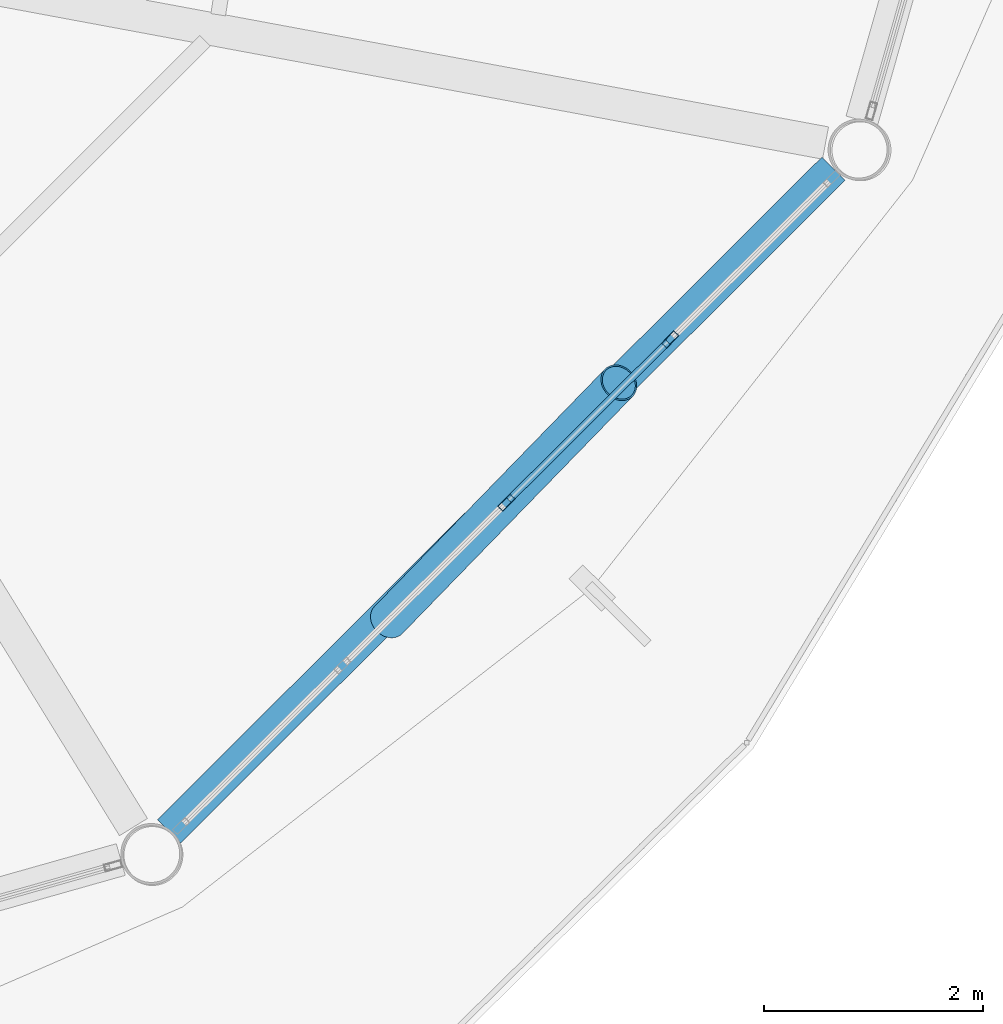
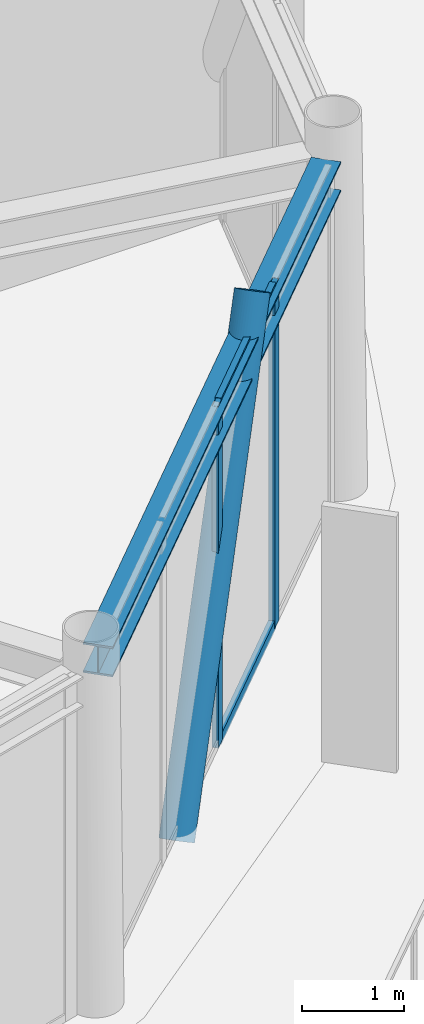
# One storey, part 8 of 24: 5 members, 1 beam, 1 element without a shape of its own.
"""IFC4 building model written with IfcOpenShell, lengths in metres."""

from ifc_helpers import new_model, si_unit, direction, frame, origin, origin_2d, place, context, subcontext, project, spatial, hollow_rectangle, hollow_circle, i_section, extrude, material, layer, layer_set, material_profile, profile_set, type_object, element, aggregate, save


model = new_model("IFC4")

# Units and contexts
model_context = context("Model", 3, precision=1e-05, world=origin(), true_north=direction((0.0, 1.0)))
body_context = subcontext(model_context, "Body", "Model", "MODEL_VIEW")
ifc_project = project(units=[si_unit("LENGTHUNIT", "METRE"), si_unit("AREAUNIT", "SQUARE_METRE"), si_unit("VOLUMEUNIT", "CUBIC_METRE"), si_unit("PLANEANGLEUNIT", "RADIAN"), si_unit("MASSUNIT", "GRAM", prefix="KILO")], contexts=[model_context])

# Site, building, storey
site_placement = place(None, origin())
site = spatial("IfcSite", under=ifc_project, at=site_placement, CompositionType="ELEMENT")
building_placement = place(site_placement, origin())
building = spatial("IfcBuilding", under=site, at=building_placement, Name="Varnakorn Sky Granary", CompositionType="ELEMENT")
storey_placement = place(building_placement, frame((0.0, 0.0, 285.0)))
storey = spatial("IfcBuildingStorey", under=building, at=storey_placement, Name="L73", CompositionType="ELEMENT", Elevation=285.0)

# Beam
ifc_material_1 = material(Name="Steel S355JR", Category="steel")
ifc_material_profile_1 = material_profile(ifc_material_1, i_section(OverallWidth=0.300048828125, OverallDepth=0.360107421875, WebThickness=0.012451171875, FlangeThickness=0.0224609375, at=origin_2d()), Name="HE 360 B")
ifc_profile_set_1 = profile_set([ifc_material_profile_1], Name="Steel S355JR")
beam_type = type_object("IfcBeamType", Name="BM-SPD-Z5", PredefinedType="SPANDREL", material=ifc_profile_set_1)
beam_placement = place(storey_placement, frame((13.8447265625, -15.02490234375, 3.89990234375), z_axis=(0.708116637558, 0.706095480522, 0.0), x_axis=(-0.706095480522, 0.708116637558, 0.0)))
element("IfcBeam", 1, at=beam_placement, inside=storey, type_object=beam_type, Name="Perimeter Spandrel Ring Beam RB11 L73", PredefinedType="SPANDREL", context=body_context, shape_type="SweptSolid", body=[
    extrude(i_section(OverallWidth=0.300048828125, OverallDepth=0.360107421875, WebThickness=0.012451171875, FlangeThickness=0.0224609375, at=origin_2d()), origin(), (0.0, 0.0, 1.0), 8.576171875),
])

# Curtain wall, members
ifc_material_2 = material(Name="Anodised Bronze Aluminium Alloy 6063-T6", Category="aluminium")
ifc_layer = layer(ifc_material_2, 0.159912109375, Name="Anodised Bronze Aluminium Alloy 6063-T6")
ifc_layer_set = layer_set([ifc_layer], Name="Anodised Bronze Aluminium Alloy 6063-T6")
curtain_wall_type = type_object("IfcCurtainWallType", Name="CW-OFF-1", PredefinedType="USERDEFINED", material=ifc_layer_set)
curtain_wall_placement = place(storey_placement, origin())
curtain_wall = element("IfcCurtainWall", 2, at=curtain_wall_placement, inside=storey, type_object=curtain_wall_type, Name="Unitised Curtain Wall CW6 CW-L73-B11", ObjectType="CURTAIN WALL", PredefinedType="USERDEFINED")
ifc_material_profile_2 = material_profile(ifc_material_2, hollow_rectangle(XDim=0.06494140625, YDim=0.159912109375, WallThickness=0.00341796875, at=origin_2d()), Name="ALU MULL 65x160")
ifc_profile_set_2 = profile_set([ifc_material_profile_2], Name="Anodised Bronze Aluminium Alloy 6063-T6")
member_type_1 = type_object("IfcMemberType", Name="CW-OFF-1-MULL", PredefinedType="MULLION", material=ifc_profile_set_2)
member_1_placement = place(storey_placement, frame((18.425537109375, -10.52978515625, 0.0), z_axis=(0.0, 0.0, 1.0), x_axis=(0.705418921213, -0.708790621831, 0.0)))
member_1 = element("IfcMember", 3, at=member_1_placement, type_object=member_type_1, Name="CW6 mullion 2", PredefinedType="MULLION", context=body_context, shape_type="SweptSolid", body=[
    extrude(hollow_rectangle(XDim=0.06494140625, YDim=0.159912109375, WallThickness=0.00341796875, at=origin_2d()), origin(), (0.0, 0.0, 1.0), 4.080078125),
])
member_2_placement = place(storey_placement, frame((16.927734375, -12.020263671875, 0.0), z_axis=(0.0, 0.0, 1.0), x_axis=(0.705418921213, -0.708790621831, 0.0)))
member_2 = element("IfcMember", 4, at=member_2_placement, type_object=member_type_1, Name="CW6 mullion 3", PredefinedType="MULLION", context=body_context, shape_type="SweptSolid", body=[
    extrude(hollow_rectangle(XDim=0.06494140625, YDim=0.159912109375, WallThickness=0.00341796875, at=origin_2d()), origin(), (0.0, 0.0, 1.0), 4.080078125),
])
ifc_material_profile_3 = material_profile(ifc_material_2, hollow_rectangle(XDim=0.06494140625, YDim=0.1201171875, WallThickness=0.00341796875, at=origin_2d()), Name="ALU TRAN 65x120")
ifc_profile_set_3 = profile_set([ifc_material_profile_3], Name="Anodised Bronze Aluminium Alloy 6063-T6")
member_type_2 = type_object("IfcMemberType", Name="CW-OFF-1-TRAN", PredefinedType="USERDEFINED", material=ifc_profile_set_3)
member_3_placement = place(storey_placement, frame((18.40234375, -10.552490234375, 0.032470703125), z_axis=(-0.708773636482, -0.705435987336, 0.0), x_axis=(0.705435987336, -0.708773636482, 0.0)))
member_3 = element("IfcMember", 5, at=member_3_placement, type_object=member_type_2, Name="CW6 transom 2.1", ObjectType="TRANSOM", PredefinedType="USERDEFINED", context=body_context, shape_type="SweptSolid", body=[
    extrude(hollow_rectangle(XDim=0.06494140625, YDim=0.1201171875, WallThickness=0.00341796875, at=origin_2d()), origin(), (0.0, 0.0, 1.0), 2.048095703125),
])
member_4_placement = place(storey_placement, frame((18.40234375, -10.552490234375, 4.047607421875), z_axis=(-0.708773636482, -0.705435987336, 0.0), x_axis=(0.705435987336, -0.708773636482, 0.0)))
member_4 = element("IfcMember", 6, at=member_4_placement, type_object=member_type_2, Name="CW6 transom 2.2", ObjectType="TRANSOM", PredefinedType="USERDEFINED", context=body_context, shape_type="SweptSolid", body=[
    extrude(hollow_rectangle(XDim=0.06494140625, YDim=0.1201171875, WallThickness=0.00341796875, at=origin_2d()), origin(), (0.0, 0.0, 1.0), 2.048095703125),
])
aggregate(curtain_wall, [member_1, member_2, member_3, member_4])

# Member
ifc_material_3 = material(Name="Steel S460M", Category="steel")
ifc_material_profile_4 = material_profile(ifc_material_3, hollow_circle(Radius=0.177734375, WallThickness=0.01416015625, at=origin_2d()), Name="CHS 355.6x14")
ifc_profile_set_4 = profile_set([ifc_material_profile_4], Name="Steel S460M")
member_type_3 = type_object("IfcMemberType", Name="MB-DIAG-T5", PredefinedType="BRACE", material=ifc_profile_set_4)
member_5_placement = place(storey_placement, frame((15.84912109375, -13.093994140625, -0.1298828125), z_axis=(0.387422008709, 0.398781119637, 0.831190595344), x_axis=(-0.717248245635, 0.696817733797, 0.0)))
element("IfcMember", 7, at=member_5_placement, inside=storey, type_object=member_type_3, Name="Perimeter CHS Diagrid Brace DG11 L73", PredefinedType="BRACE", context=body_context, shape_type="SweptSolid", body=[
    extrude(hollow_circle(Radius=0.177734375, WallThickness=0.01416015625, at=origin_2d()), origin(), (0.0, 0.0, 1.0), 5.437744140625),
])

save(model, "model.ifc")
